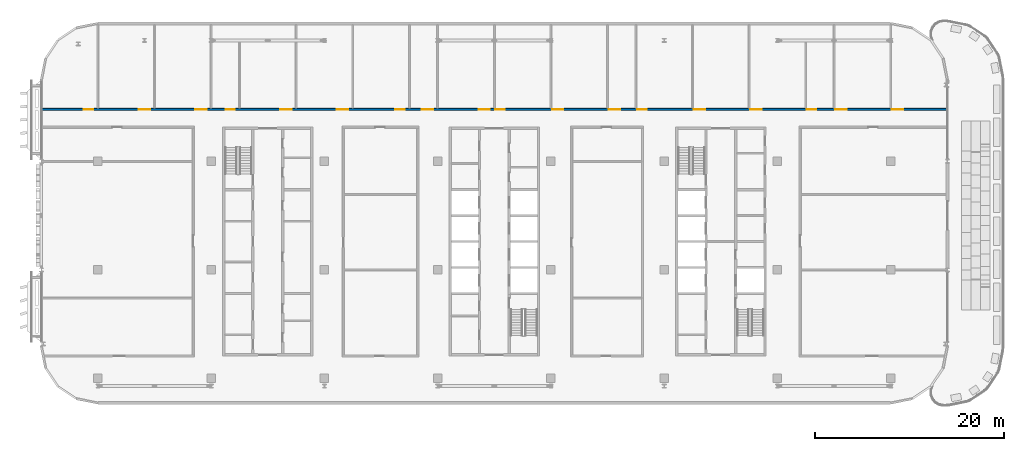
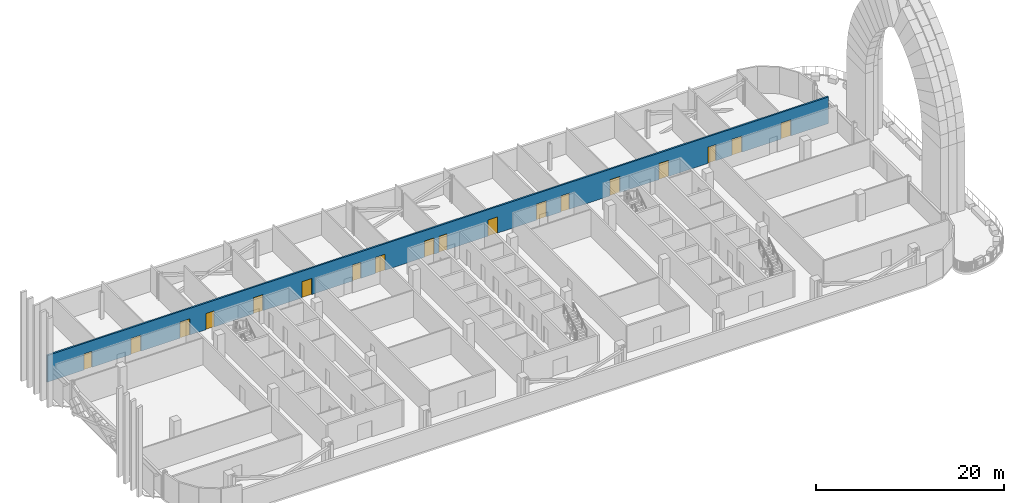
# One storey, part 15 of 30: 18 doors, 1 wall, 18 openings.
"""IFC4 building model written with IfcOpenShell, lengths in metres."""

from ifc_helpers import new_model, si_unit, direction, frame, frame_2d, origin, place, context, subcontext, project, spatial, rectangle, extrude, material, layer, layer_set, type_object, element, fill, save


model = new_model("IFC4")

# Units and contexts
model_context = context("Model", 3, precision=1e-05, world=origin(), true_north=direction((0.0, 1.0)))
body_context = subcontext(model_context, "Body", "Model", "MODEL_VIEW")
ifc_project = project(units=[si_unit("LENGTHUNIT", "METRE"), si_unit("AREAUNIT", "SQUARE_METRE"), si_unit("VOLUMEUNIT", "CUBIC_METRE"), si_unit("PLANEANGLEUNIT", "RADIAN"), si_unit("MASSUNIT", "GRAM", prefix="KILO")], contexts=[model_context])

# Site, building, storey
site_placement = place(None, origin())
site = spatial("IfcSite", under=ifc_project, at=site_placement, CompositionType="ELEMENT")
building_placement = place(site_placement, origin())
building = spatial("IfcBuilding", under=site, at=building_placement, Name="Mahtab Terrace Research Tower", CompositionType="ELEMENT")
storey_placement = place(building_placement, frame((0.0, 0.0, 263.300048828125)))
storey = spatial("IfcBuildingStorey", under=building, at=storey_placement, Name="L64", CompositionType="ELEMENT", Elevation=263.300048828125)

# Wall, openings, doors
ifc_material_1 = material(Name="Gypsum board corridor wall on steel studs", Category="steel")
ifc_layer = layer(ifc_material_1, 0.199951171875)
ifc_layer_set = layer_set([ifc_layer], Name="WALL CORRIDOR 200")
wall_type = type_object("IfcWallType", Name="WALL CORRIDOR 200", PredefinedType="PARTITIONING", material=ifc_layer_set)
wall_placement = place(storey_placement, frame((-47.97509765625, 17.0, 0.0), z_axis=(0.0, 0.0, 1.0), x_axis=(1.0, 0.0, 0.0)))
wall = element("IfcWall", 1, at=wall_placement, inside=storey, type_object=wall_type, Name="L64-W019", PredefinedType="PARTITIONING", context=body_context, shape_type="SweptSolid", body=[
    extrude(rectangle(XDim=95.9501953125, YDim=0.199951171875, at=frame_2d((47.97509765625, 0.0))), origin(), (0.0, 0.0, 1.0), 3.4599609375),
])
opening_1_placement = place(wall_placement, frame((4.5, 0.0, 0.0)))
opening_1 = element("IfcOpeningElement", 2, at=opening_1_placement, cuts=wall, Name="Opening L64-113", PredefinedType="OPENING", context=body_context, shape_type="SweptSolid", body=[
    extrude(rectangle(XDim=1.0, YDim=2.10009765625, at=frame_2d((0.5, 1.050048828125))), frame((0.0, 0.10986328125, 0.0), z_axis=(0.0, -1.0, 0.0), x_axis=(1.0, 0.0, 0.0)), (0.0, 0.0, 1.0), 0.219970703125),
])
opening_2_placement = place(wall_placement, frame((10.300048828125, 0.0, 0.0)))
opening_2 = element("IfcOpeningElement", 3, at=opening_2_placement, cuts=wall, Name="Opening L64-114", PredefinedType="OPENING", context=body_context, shape_type="SweptSolid", body=[
    extrude(rectangle(XDim=1.199951171875, YDim=2.10009765625, at=frame_2d((0.60009765625, 1.050048828125))), frame((0.0, 0.10986328125, 0.0), z_axis=(0.0, -1.0, 0.0), x_axis=(1.0, 0.0, 0.0)), (0.0, 0.0, 1.0), 0.219970703125),
])
opening_3_placement = place(wall_placement, frame((16.300048828125, 0.0, 0.0)))
opening_3 = element("IfcOpeningElement", 4, at=opening_3_placement, cuts=wall, Name="Opening L64-115", PredefinedType="OPENING", context=body_context, shape_type="SweptSolid", body=[
    extrude(rectangle(XDim=1.199951171875, YDim=2.10009765625, at=frame_2d((0.60009765625, 1.050048828125))), frame((0.0, 0.10986328125, 0.0), z_axis=(0.0, -1.0, 0.0), x_axis=(1.0, 0.0, 0.0)), (0.0, 0.0, 1.0), 0.219970703125),
])
opening_4_placement = place(wall_placement, frame((19.5, 0.0, 0.0)))
opening_4 = element("IfcOpeningElement", 5, at=opening_4_placement, cuts=wall, Name="Opening L64-116", PredefinedType="OPENING", context=body_context, shape_type="SweptSolid", body=[
    extrude(rectangle(XDim=1.0, YDim=2.10009765625, at=frame_2d((0.5, 1.050048828125))), frame((0.0, 0.10986328125, 0.0), z_axis=(0.0, -1.0, 0.0), x_axis=(1.0, 0.0, 0.0)), (0.0, 0.0, 1.0), 0.219970703125),
])
opening_5_placement = place(wall_placement, frame((25.300048828125, 0.0, 0.0)))
opening_5 = element("IfcOpeningElement", 6, at=opening_5_placement, cuts=wall, Name="Opening L64-117", PredefinedType="OPENING", context=body_context, shape_type="SweptSolid", body=[
    extrude(rectangle(XDim=1.199951171875, YDim=2.10009765625, at=frame_2d((0.60009765625, 1.050048828125))), frame((0.0, 0.10986328125, 0.0), z_axis=(0.0, -1.0, 0.0), x_axis=(1.0, 0.0, 0.0)), (0.0, 0.0, 1.0), 0.219970703125),
])
opening_6_placement = place(wall_placement, frame((31.300048828125, 0.0, 0.0)))
opening_6 = element("IfcOpeningElement", 7, at=opening_6_placement, cuts=wall, Name="Opening L64-118", PredefinedType="OPENING", context=body_context, shape_type="SweptSolid", body=[
    extrude(rectangle(XDim=1.199951171875, YDim=2.10009765625, at=frame_2d((0.60009765625, 1.050048828125))), frame((0.0, 0.10986328125, 0.0), z_axis=(0.0, -1.0, 0.0), x_axis=(1.0, 0.0, 0.0)), (0.0, 0.0, 1.0), 0.219970703125),
])
opening_7_placement = place(wall_placement, frame((37.5, 0.0, 0.0)))
opening_7 = element("IfcOpeningElement", 8, at=opening_7_placement, cuts=wall, Name="Opening L64-119", PredefinedType="OPENING", context=body_context, shape_type="SweptSolid", body=[
    extrude(rectangle(XDim=1.0, YDim=2.10009765625, at=frame_2d((0.5, 1.050048828125))), frame((0.0, 0.10986328125, 0.0), z_axis=(0.0, -1.0, 0.0), x_axis=(1.0, 0.0, 0.0)), (0.0, 0.0, 1.0), 0.219970703125),
])
opening_8_placement = place(wall_placement, frame((40.300048828125, 0.0, 0.0)))
opening_8 = element("IfcOpeningElement", 9, at=opening_8_placement, cuts=wall, Name="Opening L64-120", PredefinedType="OPENING", context=body_context, shape_type="SweptSolid", body=[
    extrude(rectangle(XDim=1.199951171875, YDim=2.10009765625, at=frame_2d((0.60009765625, 1.050048828125))), frame((0.0, 0.10986328125, 0.0), z_axis=(0.0, -1.0, 0.0), x_axis=(1.0, 0.0, 0.0)), (0.0, 0.0, 1.0), 0.219970703125),
])
opening_9_placement = place(wall_placement, frame((46.300048828125, 0.0, 0.0)))
opening_9 = element("IfcOpeningElement", 10, at=opening_9_placement, cuts=wall, Name="Opening L64-121", PredefinedType="OPENING", context=body_context, shape_type="SweptSolid", body=[
    extrude(rectangle(XDim=1.199951171875, YDim=2.10009765625, at=frame_2d((0.60009765625, 1.050048828125))), frame((0.0, 0.10986328125, 0.0), z_axis=(0.0, -1.0, 0.0), x_axis=(1.0, 0.0, 0.0)), (0.0, 0.0, 1.0), 0.219970703125),
])
opening_10_placement = place(wall_placement, frame((48.10009765625, 0.0, 0.0)))
opening_10 = element("IfcOpeningElement", 11, at=opening_10_placement, cuts=wall, Name="Opening L64-122", PredefinedType="OPENING", context=body_context, shape_type="SweptSolid", body=[
    extrude(rectangle(XDim=1.0, YDim=2.10009765625, at=frame_2d((0.5, 1.050048828125))), frame((0.0, 0.10986328125, 0.0), z_axis=(0.0, -1.0, 0.0), x_axis=(1.0, 0.0, 0.0)), (0.0, 0.0, 1.0), 0.219970703125),
])
opening_11_placement = place(wall_placement, frame((54.10009765625, 0.0, 0.0)))
opening_11 = element("IfcOpeningElement", 12, at=opening_11_placement, cuts=wall, Name="Opening L64-123", PredefinedType="OPENING", context=body_context, shape_type="SweptSolid", body=[
    extrude(rectangle(XDim=1.199951171875, YDim=2.10009765625, at=frame_2d((0.60009765625, 1.050048828125))), frame((0.0, 0.10986328125, 0.0), z_axis=(0.0, -1.0, 0.0), x_axis=(1.0, 0.0, 0.0)), (0.0, 0.0, 1.0), 0.219970703125),
])
opening_12_placement = place(wall_placement, frame((60.10009765625, 0.0, 0.0)))
opening_12 = element("IfcOpeningElement", 13, at=opening_12_placement, cuts=wall, Name="Opening L64-124", PredefinedType="OPENING", context=body_context, shape_type="SweptSolid", body=[
    extrude(rectangle(XDim=1.199951171875, YDim=2.10009765625, at=frame_2d((0.60009765625, 1.050048828125))), frame((0.0, 0.10986328125, 0.0), z_axis=(0.0, -1.0, 0.0), x_axis=(1.0, 0.0, 0.0)), (0.0, 0.0, 1.0), 0.219970703125),
])
opening_13_placement = place(wall_placement, frame((63.10009765625, 0.0, 0.0)))
opening_13 = element("IfcOpeningElement", 14, at=opening_13_placement, cuts=wall, Name="Opening L64-125", PredefinedType="OPENING", context=body_context, shape_type="SweptSolid", body=[
    extrude(rectangle(XDim=1.0, YDim=2.10009765625, at=frame_2d((0.5, 1.050048828125))), frame((0.0, 0.10986328125, 0.0), z_axis=(0.0, -1.0, 0.0), x_axis=(1.0, 0.0, 0.0)), (0.0, 0.0, 1.0), 0.219970703125),
])
opening_14_placement = place(wall_placement, frame((69.10009765625, 0.0, 0.0)))
opening_14 = element("IfcOpeningElement", 15, at=opening_14_placement, cuts=wall, Name="Opening L64-126", PredefinedType="OPENING", context=body_context, shape_type="SweptSolid", body=[
    extrude(rectangle(XDim=1.199951171875, YDim=2.10009765625, at=frame_2d((0.60009765625, 1.050048828125))), frame((0.0, 0.10986328125, 0.0), z_axis=(0.0, -1.0, 0.0), x_axis=(1.0, 0.0, 0.0)), (0.0, 0.0, 1.0), 0.219970703125),
])
opening_15_placement = place(wall_placement, frame((75.10009765625, 0.0, 0.0)))
opening_15 = element("IfcOpeningElement", 16, at=opening_15_placement, cuts=wall, Name="Opening L64-127", PredefinedType="OPENING", context=body_context, shape_type="SweptSolid", body=[
    extrude(rectangle(XDim=1.199951171875, YDim=2.10009765625, at=frame_2d((0.60009765625, 1.050048828125))), frame((0.0, 0.10986328125, 0.0), z_axis=(0.0, -1.0, 0.0), x_axis=(1.0, 0.0, 0.0)), (0.0, 0.0, 1.0), 0.219970703125),
])
opening_16_placement = place(wall_placement, frame((81.10009765625, 0.0, 0.0)))
opening_16 = element("IfcOpeningElement", 17, at=opening_16_placement, cuts=wall, Name="Opening L64-128", PredefinedType="OPENING", context=body_context, shape_type="SweptSolid", body=[
    extrude(rectangle(XDim=1.0, YDim=2.10009765625, at=frame_2d((0.5, 1.050048828125))), frame((0.0, 0.10986328125, 0.0), z_axis=(0.0, -1.0, 0.0), x_axis=(1.0, 0.0, 0.0)), (0.0, 0.0, 1.0), 0.219970703125),
])
opening_17_placement = place(wall_placement, frame((84.10009765625, 0.0, 0.0)))
opening_17 = element("IfcOpeningElement", 18, at=opening_17_placement, cuts=wall, Name="Opening L64-129", PredefinedType="OPENING", context=body_context, shape_type="SweptSolid", body=[
    extrude(rectangle(XDim=1.199951171875, YDim=2.10009765625, at=frame_2d((0.60009765625, 1.050048828125))), frame((0.0, 0.10986328125, 0.0), z_axis=(0.0, -1.0, 0.0), x_axis=(1.0, 0.0, 0.0)), (0.0, 0.0, 1.0), 0.219970703125),
])
opening_18_placement = place(wall_placement, frame((90.10009765625, 0.0, 0.0)))
opening_18 = element("IfcOpeningElement", 19, at=opening_18_placement, cuts=wall, Name="Opening L64-130", PredefinedType="OPENING", context=body_context, shape_type="SweptSolid", body=[
    extrude(rectangle(XDim=1.199951171875, YDim=2.10009765625, at=frame_2d((0.60009765625, 1.050048828125))), frame((0.0, 0.10986328125, 0.0), z_axis=(0.0, -1.0, 0.0), x_axis=(1.0, 0.0, 0.0)), (0.0, 0.0, 1.0), 0.219970703125),
])
ifc_material_2 = material(Name="Timber door leaf in steel frame", Category="steel")
door_type_1 = type_object("IfcDoorType", Name="DOOR 1000X2100 FD30S", OperationType="SINGLE_SWING_LEFT", PredefinedType="DOOR", material=ifc_material_2)
door_1_placement = place(opening_1_placement, origin())
door_1 = element("IfcDoor", 20, at=door_1_placement, inside=storey, type_object=door_type_1, Name="Door L64-113", OperationType="SINGLE_SWING_LEFT", OverallHeight=2.10009765625, OverallWidth=1.0, PredefinedType="DOOR", context=body_context, shape_type="SweptSolid", body=[
    extrude(rectangle(XDim=1.0, YDim=2.10009765625, at=frame_2d((0.5, 1.050048828125))), frame((0.0, 0.02490234375, 0.0), z_axis=(0.0, -1.0, 0.0), x_axis=(1.0, 0.0, 0.0)), (0.0, 0.0, 1.0), 0.050048828125),
])
fill(opening_1, door_1)
door_2_placement = place(opening_4_placement, origin())
door_2 = element("IfcDoor", 21, at=door_2_placement, inside=storey, type_object=door_type_1, Name="Door L64-116", OperationType="SINGLE_SWING_LEFT", OverallHeight=2.10009765625, OverallWidth=1.0, PredefinedType="DOOR", context=body_context, shape_type="SweptSolid", body=[
    extrude(rectangle(XDim=1.0, YDim=2.10009765625, at=frame_2d((0.5, 1.050048828125))), frame((0.0, 0.02490234375, 0.0), z_axis=(0.0, -1.0, 0.0), x_axis=(1.0, 0.0, 0.0)), (0.0, 0.0, 1.0), 0.050048828125),
])
fill(opening_4, door_2)
door_3_placement = place(opening_7_placement, origin())
door_3 = element("IfcDoor", 22, at=door_3_placement, inside=storey, type_object=door_type_1, Name="Door L64-119", OperationType="SINGLE_SWING_LEFT", OverallHeight=2.10009765625, OverallWidth=1.0, PredefinedType="DOOR", context=body_context, shape_type="SweptSolid", body=[
    extrude(rectangle(XDim=1.0, YDim=2.10009765625, at=frame_2d((0.5, 1.050048828125))), frame((0.0, 0.02490234375, 0.0), z_axis=(0.0, -1.0, 0.0), x_axis=(1.0, 0.0, 0.0)), (0.0, 0.0, 1.0), 0.050048828125),
])
fill(opening_7, door_3)
door_4_placement = place(opening_10_placement, origin())
door_4 = element("IfcDoor", 23, at=door_4_placement, inside=storey, type_object=door_type_1, Name="Door L64-122", OperationType="SINGLE_SWING_RIGHT", OverallHeight=2.10009765625, OverallWidth=1.0, PredefinedType="DOOR", context=body_context, shape_type="SweptSolid", body=[
    extrude(rectangle(XDim=1.0, YDim=2.10009765625, at=frame_2d((0.5, 1.050048828125))), frame((0.0, 0.02490234375, 0.0), z_axis=(0.0, -1.0, 0.0), x_axis=(1.0, 0.0, 0.0)), (0.0, 0.0, 1.0), 0.050048828125),
])
fill(opening_10, door_4)
door_5_placement = place(opening_13_placement, origin())
door_5 = element("IfcDoor", 24, at=door_5_placement, inside=storey, type_object=door_type_1, Name="Door L64-125", OperationType="SINGLE_SWING_RIGHT", OverallHeight=2.10009765625, OverallWidth=1.0, PredefinedType="DOOR", context=body_context, shape_type="SweptSolid", body=[
    extrude(rectangle(XDim=1.0, YDim=2.10009765625, at=frame_2d((0.5, 1.050048828125))), frame((0.0, 0.02490234375, 0.0), z_axis=(0.0, -1.0, 0.0), x_axis=(1.0, 0.0, 0.0)), (0.0, 0.0, 1.0), 0.050048828125),
])
fill(opening_13, door_5)
door_6_placement = place(opening_16_placement, origin())
door_6 = element("IfcDoor", 25, at=door_6_placement, inside=storey, type_object=door_type_1, Name="Door L64-128", OperationType="SINGLE_SWING_RIGHT", OverallHeight=2.10009765625, OverallWidth=1.0, PredefinedType="DOOR", context=body_context, shape_type="SweptSolid", body=[
    extrude(rectangle(XDim=1.0, YDim=2.10009765625, at=frame_2d((0.5, 1.050048828125))), frame((0.0, 0.02490234375, 0.0), z_axis=(0.0, -1.0, 0.0), x_axis=(1.0, 0.0, 0.0)), (0.0, 0.0, 1.0), 0.050048828125),
])
fill(opening_16, door_6)
door_type_2 = type_object("IfcDoorType", Name="DOOR 1200X2100 FD30S", OperationType="SINGLE_SWING_LEFT", PredefinedType="DOOR", material=ifc_material_2)
door_7_placement = place(opening_2_placement, origin())
door_7 = element("IfcDoor", 26, at=door_7_placement, inside=storey, type_object=door_type_2, Name="Door L64-114", OperationType="SINGLE_SWING_LEFT", OverallHeight=2.10009765625, OverallWidth=1.199951171875, PredefinedType="DOOR", context=body_context, shape_type="SweptSolid", body=[
    extrude(rectangle(XDim=1.199951171875, YDim=2.10009765625, at=frame_2d((0.60009765625, 1.050048828125))), frame((0.0, 0.02490234375, 0.0), z_axis=(0.0, -1.0, 0.0), x_axis=(1.0, 0.0, 0.0)), (0.0, 0.0, 1.0), 0.050048828125),
])
fill(opening_2, door_7)
door_8_placement = place(opening_3_placement, origin())
door_8 = element("IfcDoor", 27, at=door_8_placement, inside=storey, type_object=door_type_2, Name="Door L64-115", OperationType="SINGLE_SWING_LEFT", OverallHeight=2.10009765625, OverallWidth=1.199951171875, PredefinedType="DOOR", context=body_context, shape_type="SweptSolid", body=[
    extrude(rectangle(XDim=1.199951171875, YDim=2.10009765625, at=frame_2d((0.60009765625, 1.050048828125))), frame((0.0, 0.02490234375, 0.0), z_axis=(0.0, -1.0, 0.0), x_axis=(1.0, 0.0, 0.0)), (0.0, 0.0, 1.0), 0.050048828125),
])
fill(opening_3, door_8)
door_9_placement = place(opening_5_placement, origin())
door_9 = element("IfcDoor", 28, at=door_9_placement, inside=storey, type_object=door_type_2, Name="Door L64-117", OperationType="SINGLE_SWING_LEFT", OverallHeight=2.10009765625, OverallWidth=1.199951171875, PredefinedType="DOOR", context=body_context, shape_type="SweptSolid", body=[
    extrude(rectangle(XDim=1.199951171875, YDim=2.10009765625, at=frame_2d((0.60009765625, 1.050048828125))), frame((0.0, 0.02490234375, 0.0), z_axis=(0.0, -1.0, 0.0), x_axis=(1.0, 0.0, 0.0)), (0.0, 0.0, 1.0), 0.050048828125),
])
fill(opening_5, door_9)
door_10_placement = place(opening_6_placement, origin())
door_10 = element("IfcDoor", 29, at=door_10_placement, inside=storey, type_object=door_type_2, Name="Door L64-118", OperationType="SINGLE_SWING_LEFT", OverallHeight=2.10009765625, OverallWidth=1.199951171875, PredefinedType="DOOR", context=body_context, shape_type="SweptSolid", body=[
    extrude(rectangle(XDim=1.199951171875, YDim=2.10009765625, at=frame_2d((0.60009765625, 1.050048828125))), frame((0.0, 0.02490234375, 0.0), z_axis=(0.0, -1.0, 0.0), x_axis=(1.0, 0.0, 0.0)), (0.0, 0.0, 1.0), 0.050048828125),
])
fill(opening_6, door_10)
door_11_placement = place(opening_8_placement, origin())
door_11 = element("IfcDoor", 30, at=door_11_placement, inside=storey, type_object=door_type_2, Name="Door L64-120", OperationType="SINGLE_SWING_LEFT", OverallHeight=2.10009765625, OverallWidth=1.199951171875, PredefinedType="DOOR", context=body_context, shape_type="SweptSolid", body=[
    extrude(rectangle(XDim=1.199951171875, YDim=2.10009765625, at=frame_2d((0.60009765625, 1.050048828125))), frame((0.0, 0.02490234375, 0.0), z_axis=(0.0, -1.0, 0.0), x_axis=(1.0, 0.0, 0.0)), (0.0, 0.0, 1.0), 0.050048828125),
])
fill(opening_8, door_11)
door_12_placement = place(opening_9_placement, origin())
door_12 = element("IfcDoor", 31, at=door_12_placement, inside=storey, type_object=door_type_2, Name="Door L64-121", OperationType="SINGLE_SWING_LEFT", OverallHeight=2.10009765625, OverallWidth=1.199951171875, PredefinedType="DOOR", context=body_context, shape_type="SweptSolid", body=[
    extrude(rectangle(XDim=1.199951171875, YDim=2.10009765625, at=frame_2d((0.60009765625, 1.050048828125))), frame((0.0, 0.02490234375, 0.0), z_axis=(0.0, -1.0, 0.0), x_axis=(1.0, 0.0, 0.0)), (0.0, 0.0, 1.0), 0.050048828125),
])
fill(opening_9, door_12)
door_13_placement = place(opening_11_placement, origin())
door_13 = element("IfcDoor", 32, at=door_13_placement, inside=storey, type_object=door_type_2, Name="Door L64-123", OperationType="SINGLE_SWING_RIGHT", OverallHeight=2.10009765625, OverallWidth=1.199951171875, PredefinedType="DOOR", context=body_context, shape_type="SweptSolid", body=[
    extrude(rectangle(XDim=1.199951171875, YDim=2.10009765625, at=frame_2d((0.60009765625, 1.050048828125))), frame((0.0, 0.02490234375, 0.0), z_axis=(0.0, -1.0, 0.0), x_axis=(1.0, 0.0, 0.0)), (0.0, 0.0, 1.0), 0.050048828125),
])
fill(opening_11, door_13)
door_14_placement = place(opening_12_placement, origin())
door_14 = element("IfcDoor", 33, at=door_14_placement, inside=storey, type_object=door_type_2, Name="Door L64-124", OperationType="SINGLE_SWING_RIGHT", OverallHeight=2.10009765625, OverallWidth=1.199951171875, PredefinedType="DOOR", context=body_context, shape_type="SweptSolid", body=[
    extrude(rectangle(XDim=1.199951171875, YDim=2.10009765625, at=frame_2d((0.60009765625, 1.050048828125))), frame((0.0, 0.02490234375, 0.0), z_axis=(0.0, -1.0, 0.0), x_axis=(1.0, 0.0, 0.0)), (0.0, 0.0, 1.0), 0.050048828125),
])
fill(opening_12, door_14)
door_15_placement = place(opening_14_placement, origin())
door_15 = element("IfcDoor", 34, at=door_15_placement, inside=storey, type_object=door_type_2, Name="Door L64-126", OperationType="SINGLE_SWING_RIGHT", OverallHeight=2.10009765625, OverallWidth=1.199951171875, PredefinedType="DOOR", context=body_context, shape_type="SweptSolid", body=[
    extrude(rectangle(XDim=1.199951171875, YDim=2.10009765625, at=frame_2d((0.60009765625, 1.050048828125))), frame((0.0, 0.02490234375, 0.0), z_axis=(0.0, -1.0, 0.0), x_axis=(1.0, 0.0, 0.0)), (0.0, 0.0, 1.0), 0.050048828125),
])
fill(opening_14, door_15)
door_16_placement = place(opening_15_placement, origin())
door_16 = element("IfcDoor", 35, at=door_16_placement, inside=storey, type_object=door_type_2, Name="Door L64-127", OperationType="SINGLE_SWING_RIGHT", OverallHeight=2.10009765625, OverallWidth=1.199951171875, PredefinedType="DOOR", context=body_context, shape_type="SweptSolid", body=[
    extrude(rectangle(XDim=1.199951171875, YDim=2.10009765625, at=frame_2d((0.60009765625, 1.050048828125))), frame((0.0, 0.02490234375, 0.0), z_axis=(0.0, -1.0, 0.0), x_axis=(1.0, 0.0, 0.0)), (0.0, 0.0, 1.0), 0.050048828125),
])
fill(opening_15, door_16)
door_17_placement = place(opening_17_placement, origin())
door_17 = element("IfcDoor", 36, at=door_17_placement, inside=storey, type_object=door_type_2, Name="Door L64-129", OperationType="SINGLE_SWING_RIGHT", OverallHeight=2.10009765625, OverallWidth=1.199951171875, PredefinedType="DOOR", context=body_context, shape_type="SweptSolid", body=[
    extrude(rectangle(XDim=1.199951171875, YDim=2.10009765625, at=frame_2d((0.60009765625, 1.050048828125))), frame((0.0, 0.02490234375, 0.0), z_axis=(0.0, -1.0, 0.0), x_axis=(1.0, 0.0, 0.0)), (0.0, 0.0, 1.0), 0.050048828125),
])
fill(opening_17, door_17)
door_18_placement = place(opening_18_placement, origin())
door_18 = element("IfcDoor", 37, at=door_18_placement, inside=storey, type_object=door_type_2, Name="Door L64-130", OperationType="SINGLE_SWING_RIGHT", OverallHeight=2.10009765625, OverallWidth=1.199951171875, PredefinedType="DOOR", context=body_context, shape_type="SweptSolid", body=[
    extrude(rectangle(XDim=1.199951171875, YDim=2.10009765625, at=frame_2d((0.60009765625, 1.050048828125))), frame((0.0, 0.02490234375, 0.0), z_axis=(0.0, -1.0, 0.0), x_axis=(1.0, 0.0, 0.0)), (0.0, 0.0, 1.0), 0.050048828125),
])
fill(opening_18, door_18)

save(model, "model.ifc")
